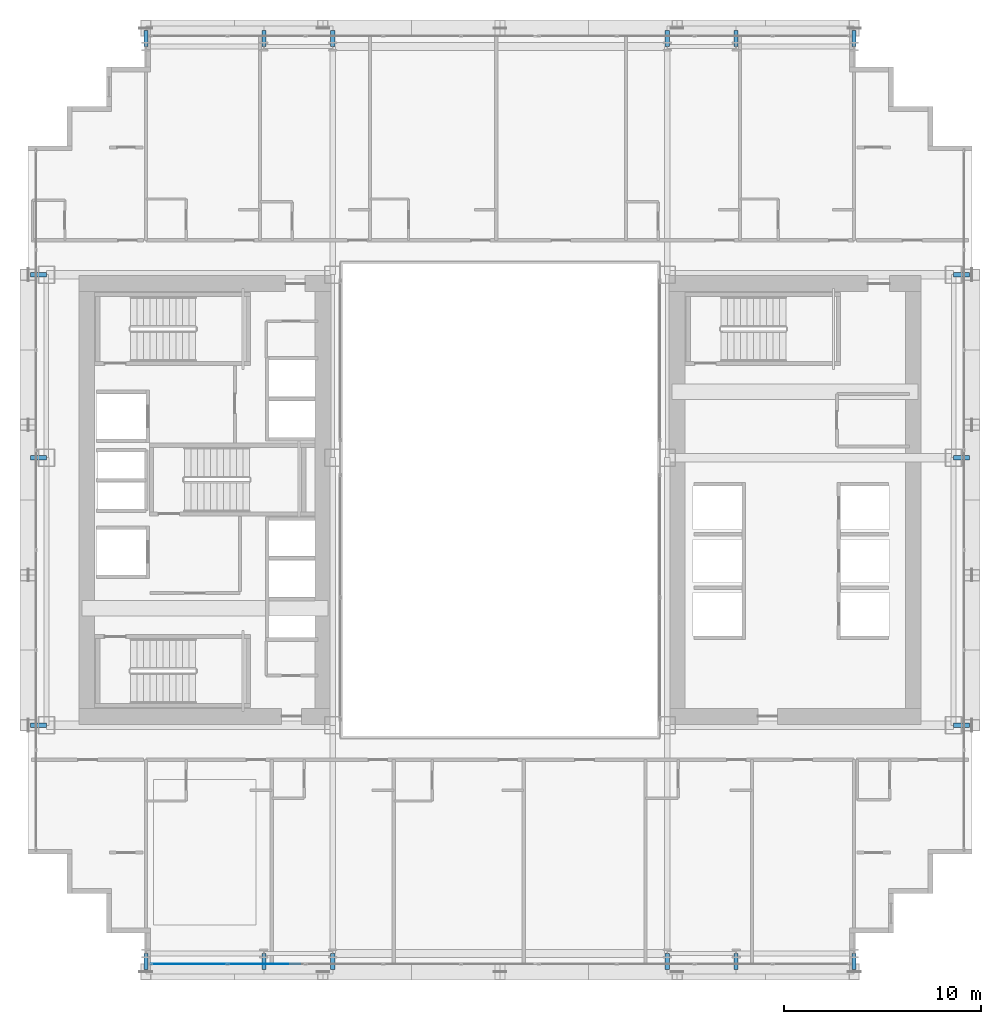
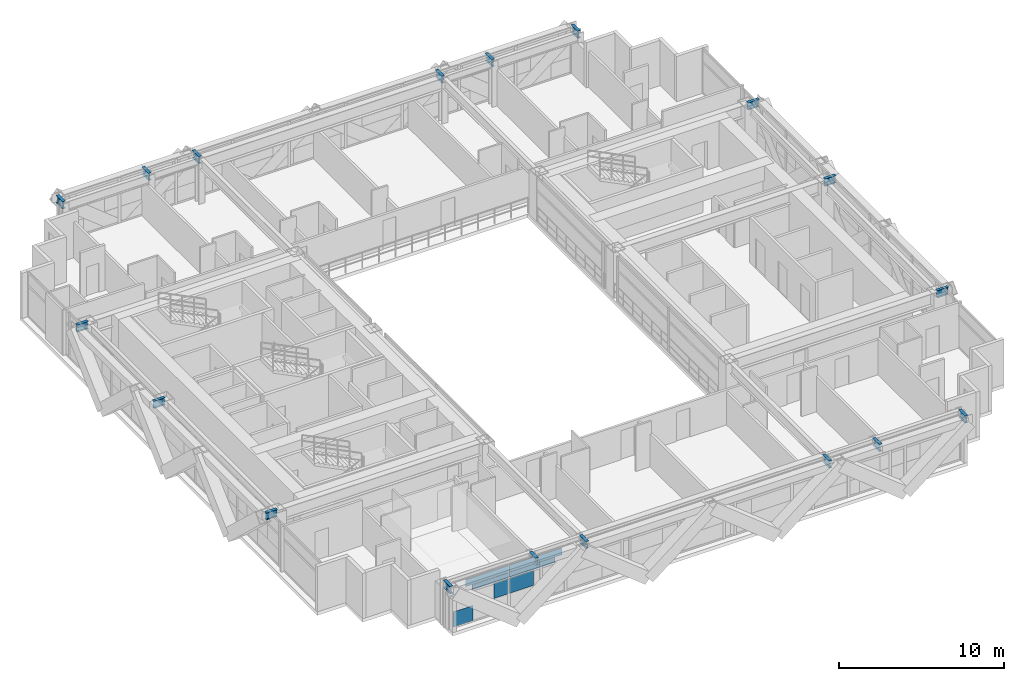
# One storey, part 26 of 41: 18 beams, 7 plates, 1 element without a shape of its own.
"""IFC4 building model written with IfcOpenShell, lengths in metres."""

import ifcopenshell
import ifcopenshell.guid

model = None  # the IFC model being written
_history = None  # IfcOwnerHistory: only IFC2X3 demands one
_inside = {}  # id of a spatial element -> (the spatial element, [elements in it])
_under = {}  # id of a project, library or spatial element -> (it, [spatial elements below it])
_declared = {}  # id of a project -> (the project, [libraries it declares])
_typed = {}  # id of a type object -> (the type object, [elements of that type])
_made_of = {}  # id of a material, layer set ... -> (it, [elements and type objects made of it])


def new_model(schema):
    """Start an empty IFC model of exactly this schema.

    Asked for "IFC4X3", IfcOpenShell would pick the latest addendum, in which some entities
    have other attributes; the version numbers below select the first issue.
    IFC2X3 requires an IfcOwnerHistory on every rooted entity: one is made here for all.
    """
    global model, _history
    if schema == "IFC4X3":
        model = ifcopenshell.file(schema_version=(4, 3, 0, 0))
    else:
        model = ifcopenshell.file(schema=schema)
    _inside.clear()
    _under.clear()
    _declared.clear()
    _typed.clear()
    _made_of.clear()
    _history = None
    if model.schema == "IFC2X3":
        org = make("IfcOrganization", Name="unknown")
        user = make(
            "IfcPersonAndOrganization",
            ThePerson=make("IfcPerson", FamilyName="unknown"),
            TheOrganization=org,
        )
        app = make(
            "IfcApplication",
            ApplicationDeveloper=org,
            Version="unknown",
            ApplicationFullName="unknown",
            ApplicationIdentifier="unknown",
        )
        _history = make(
            "IfcOwnerHistory",
            OwningUser=user,
            OwningApplication=app,
            ChangeAction="ADDED",
            CreationDate=0,
        )
    return model


def make(cls, **values):
    """One entity of the class cls with the attributes given. An attribute that is None is left unset."""
    return model.create_entity(
        cls, **{name: value for name, value in values.items() if value is not None}
    )


def rooted(cls, **values):
    """An entity with a GlobalId (a new one), such as an element, a storey or a relation."""
    return make(cls, GlobalId=ifcopenshell.guid.new(), OwnerHistory=_history, **values)


def si_unit(unit_type, name, prefix=None):
    """IfcSIUnit, for example si_unit("LENGTHUNIT", "METRE", prefix="MILLI")."""
    return make("IfcSIUnit", UnitType=unit_type, Prefix=prefix, Name=name)


def assignment(units):
    """IfcUnitAssignment: the units of a project."""
    return None if units is None else make("IfcUnitAssignment", Units=units)


def point(xyz):
    """IfcCartesianPoint."""
    return None if xyz is None else make("IfcCartesianPoint", Coordinates=xyz)


def direction(xyz):
    """IfcDirection."""
    return None if xyz is None else make("IfcDirection", DirectionRatios=xyz)


def frame(location, z_axis=None, x_axis=None):
    """IfcAxis2Placement3D, a coordinate frame: its origin and axes. An axis left out is left unset."""
    return make(
        "IfcAxis2Placement3D",
        Location=point(location),
        Axis=direction(z_axis),
        RefDirection=direction(x_axis),
    )


def frame_2d(location, x_axis=None):
    """IfcAxis2Placement2D, a coordinate frame in the plane: its origin and x axis."""
    return make(
        "IfcAxis2Placement2D", Location=point(location), RefDirection=direction(x_axis)
    )


def origin():
    """The frame at (0, 0, 0) with its axes left unset."""
    return frame((0.0, 0.0, 0.0))


def origin_2d():
    """The frame at (0, 0) in the plane with its x axis left unset."""
    return frame_2d((0.0, 0.0))


def place(relative_to, where):
    """IfcLocalPlacement: puts the frame where relative to a parent placement (None: the world)."""
    return make(
        "IfcLocalPlacement", PlacementRelTo=relative_to, RelativePlacement=where
    )


def context(
    kind, dimensions, precision=None, world=None, true_north=None, identifier=None
):
    """IfcGeometricRepresentationContext, for example the 3D "Model" context."""
    return make(
        "IfcGeometricRepresentationContext",
        ContextIdentifier=identifier,
        ContextType=kind,
        CoordinateSpaceDimension=dimensions,
        Precision=precision,
        WorldCoordinateSystem=world,
        TrueNorth=true_north,
    )


def subcontext(parent, identifier, kind, view, scale=None):
    """IfcGeometricRepresentationSubContext, for example "Body" below "Model"."""
    return make(
        "IfcGeometricRepresentationSubContext",
        ContextIdentifier=identifier,
        ContextType=kind,
        ParentContext=parent,
        TargetScale=scale,
        TargetView=view,
    )


def project(units=None, contexts=None):
    """IfcProject with its units and contexts."""
    return rooted(
        "IfcProject",
        Name="project",
        RepresentationContexts=contexts,
        UnitsInContext=assignment(units),
    )


def spatial(cls, under=None, at=None, **own):
    """A site, building, storey or space (cls), placed at a placement, below another one or the project."""
    s = rooted(cls, ObjectPlacement=at, **own)
    if under is not None:
        _under.setdefault(under.id(), (under, []))[1].append(s)
    return s


def profile(cls, at=None, kind="AREA", **sizes):
    """A parametric profile (cls). Its sizes go by their IFC names, for example OverallWidth=200.0."""
    return make(cls, ProfileType=kind, Position=at, **sizes)


def rectangle(**sizes):
    """IfcRectangleProfileDef."""
    return profile("IfcRectangleProfileDef", **sizes)


def i_section(**sizes):
    """IfcIShapeProfileDef."""
    return profile("IfcIShapeProfileDef", **sizes)


def extrude(swept, where, along, depth):
    """IfcExtrudedAreaSolid: the profile swept, set in the frame where, extruded along a direction by depth."""
    return make(
        "IfcExtrudedAreaSolid",
        SweptArea=swept,
        Position=where,
        ExtrudedDirection=direction(along),
        Depth=depth,
    )


def shape(context_of_items, identifier, shape_type, items):
    """IfcShapeRepresentation: the items that make up one representation, for example the "Body"."""
    return make(
        "IfcShapeRepresentation",
        ContextOfItems=context_of_items,
        RepresentationIdentifier=identifier,
        RepresentationType=shape_type,
        Items=items,
    )


def source(mapping_origin, context_of_items, identifier, shape_type, items):
    """IfcRepresentationMap: a shape defined once, which mapped items show again and again."""
    return make(
        "IfcRepresentationMap",
        MappingOrigin=mapping_origin,
        MappedRepresentation=shape(context_of_items, identifier, shape_type, items),
    )


def transform(
    local_origin,
    x_axis=None,
    y_axis=None,
    z_axis=None,
    scale=None,
    scale2=None,
    scale3=None,
    uniform=True,
):
    """IfcCartesianTransformationOperator3D, or its non-uniform kind. x_axis, y_axis, z_axis: its Axis1, 2, 3."""
    if uniform:
        return make(
            "IfcCartesianTransformationOperator3D",
            Axis1=direction(x_axis),
            Axis2=direction(y_axis),
            LocalOrigin=point(local_origin),
            Scale=scale,
            Axis3=direction(z_axis),
        )
    return make(
        "IfcCartesianTransformationOperator3DnonUniform",
        Axis1=direction(x_axis),
        Axis2=direction(y_axis),
        LocalOrigin=point(local_origin),
        Scale=scale,
        Axis3=direction(z_axis),
        Scale2=scale2,
        Scale3=scale3,
    )


def mapped(mapping_source, mapping_target):
    """IfcMappedItem: shows the shape of a source again, moved by a transform."""
    return make(
        "IfcMappedItem", MappingSource=mapping_source, MappingTarget=mapping_target
    )


def material(Name=None, Category=None):
    """IfcMaterial."""
    return make("IfcMaterial", Name=Name, Category=Category)


def layer(
    of_material, thickness, ventilated=None, Name=None, Category=None, Priority=None
):
    """IfcMaterialLayer: one layer of a wall or slab, of a material (None: an air gap)."""
    return make(
        "IfcMaterialLayer",
        Material=of_material,
        LayerThickness=thickness,
        IsVentilated=ventilated,
        Name=Name,
        Category=Category,
        Priority=Priority,
    )


def layer_set(layers, Name=None):
    """IfcMaterialLayerSet."""
    return make("IfcMaterialLayerSet", MaterialLayers=layers, LayerSetName=Name)


def material_profile(
    of_material, cross_section, Name=None, Category=None, Priority=None
):
    """IfcMaterialProfile: a cross section and its material."""
    return make(
        "IfcMaterialProfile",
        Name=Name,
        Material=of_material,
        Profile=cross_section,
        Priority=Priority,
        Category=Category,
    )


def profile_set(profiles, Name=None, composite=None):
    """IfcMaterialProfileSet."""
    return make(
        "IfcMaterialProfileSet",
        Name=Name,
        MaterialProfiles=profiles,
        CompositeProfile=composite,
    )


def made_of(thing, what):
    """Note that an element or type object is made of a material, layer set ...; save() writes the relation."""
    if what is not None:
        _made_of.setdefault(what.id(), (what, []))[1].append(thing)
    return thing


def type_object(cls, material=None, **own):
    """A type object (cls), such as IfcWallType, which elements share."""
    return made_of(rooted(cls, **own), material)


def element(
    cls,
    number,
    at=None,
    inside=None,
    cuts=None,
    type_object=None,
    material=None,
    context=None,
    identifier="Body",
    shape_type=None,
    held_by="IfcProductDefinitionShape",
    body=None,
    shapes=None,
    **own,
):
    """One element of the class cls, such as IfcWall. Its Tag is "e" and its number.

    at: its placement. inside: the storey or other place that contains it. cuts: it is an
    opening in that element (IfcRelVoidsElement). A single representation is given by context,
    identifier, shape_type and body (its items); several are given by shapes. held_by: the class
    of the entity that holds the representations. save() writes the other relations.
    """
    e = rooted(cls, Tag="e%d" % number, ObjectPlacement=at, **own)
    if body is not None:
        shapes = [shape(context, identifier, shape_type, body)]
    if shapes is not None:
        e.Representation = make(held_by, Representations=shapes)
    if inside is not None:
        _inside.setdefault(inside.id(), (inside, []))[1].append(e)
    if cuts is not None:
        rooted(
            "IfcRelVoidsElement", RelatingBuildingElement=cuts, RelatedOpeningElement=e
        )
    if type_object is not None:
        _typed.setdefault(type_object.id(), (type_object, []))[1].append(e)
    return made_of(e, material)


def aggregate(whole, parts):
    """IfcRelAggregates: a whole, such as a stair, and the parts it consists of."""
    return rooted("IfcRelAggregates", RelatingObject=whole, RelatedObjects=parts)


def save(model, path):
    """Write the relations noted so far, then the file.

    IfcRelAggregates (storeys below a building ...), IfcRelContainedInSpatialStructure (elements
    in a storey), IfcRelDefinesByType, IfcRelAssociatesMaterial and IfcRelDeclares: one each for
    every whole, place, type object, material and project.
    """
    for whole, parts in _under.values():
        aggregate(whole, parts)
    for where, things in _inside.values():
        rooted(
            "IfcRelContainedInSpatialStructure",
            RelatedElements=things,
            RelatingStructure=where,
        )
    for kind, things in _typed.values():
        rooted("IfcRelDefinesByType", RelatedObjects=things, RelatingType=kind)
    for what, things in _made_of.values():
        rooted("IfcRelAssociatesMaterial", RelatedObjects=things, RelatingMaterial=what)
    for by, libraries in _declared.values():
        rooted("IfcRelDeclares", RelatingContext=by, RelatedDefinitions=libraries)
    model.write(path)


model = new_model("IFC4")

# Units and contexts
model_context = context("Model", 3, precision=1e-05, world=origin(), true_north=direction((0.0, 1.0)))
body_context = subcontext(model_context, "Body", "Model", "MODEL_VIEW")
ifc_project = project(units=[si_unit("LENGTHUNIT", "METRE"), si_unit("AREAUNIT", "SQUARE_METRE"), si_unit("VOLUMEUNIT", "CUBIC_METRE"), si_unit("PLANEANGLEUNIT", "RADIAN"), si_unit("MASSUNIT", "GRAM", prefix="KILO")], contexts=[model_context])

# Site, building, storey
site_placement = place(None, origin())
site = spatial("IfcSite", under=ifc_project, at=site_placement, CompositionType="ELEMENT")
building_placement = place(site_placement, origin())
building = spatial("IfcBuilding", under=site, at=building_placement, Name="Ocotamira Hotel", CompositionType="ELEMENT")
storey_placement = place(building_placement, frame((0.0, 0.0, 52.800048828125)))
storey = spatial("IfcBuildingStorey", under=building, at=storey_placement, Name="L12", CompositionType="ELEMENT", Elevation=52.800048828125)

# Beams
ifc_material_1 = material(Name="Steel ASTM A992 Grade 50", Category="steel")
ifc_material_profile = material_profile(ifc_material_1, i_section(OverallWidth=0.2099609375, OverallDepth=0.537109375, WebThickness=0.010986328125, FlangeThickness=0.017333984375, FilletRadius=0.012939453125, at=origin_2d()), Name="W21X68")
ifc_profile_set = profile_set([ifc_material_profile], Name="Steel ASTM A992 Grade 50")
beam_type = type_object("IfcBeamType", Name="BM-SEC-W21X68", PredefinedType="JOIST", material=ifc_profile_set)
shared_shape_1 = source(origin(), body_context, "Body", "SweptSolid", [
    extrude(i_section(OverallWidth=0.2099609375, OverallDepth=0.537109375, WebThickness=0.010986328125, FlangeThickness=0.017333984375, FilletRadius=0.012939453125, at=origin_2d()), origin(), (0.0, 0.0, 1.0), 0.800048828125),
])
for number, where, z_axis, x_axis, name in (
    (1, (14.0, 2.949951171875, 3.08154296875), (0.0, -1.0, 0.0), (1.0, 0.0, 0.0), "L12 South Edge Header X14"),
    (2, (14.0, 49.050048828125, 3.08154296875), (0.0, 1.0, 0.0), (-1.0, 0.0, 0.0), "L12 North Edge Header X14"),
    (3, (20.0, 2.949951171875, 3.08154296875), (0.0, -1.0, 0.0), (1.0, 0.0, 0.0), "L12 South Edge Header X20"),
    (4, (20.0, 49.050048828125, 3.08154296875), (0.0, 1.0, 0.0), (-1.0, 0.0, 0.0), "L12 North Edge Header X20"),
    (5, (23.5, 2.949951171875, 3.08154296875), (0.0, -1.0, 0.0), (1.0, 0.0, 0.0), "L12 South Edge Header X23.5"),
    (6, (23.5, 49.050048828125, 3.08154296875), (0.0, 1.0, 0.0), (-1.0, 0.0, 0.0), "L12 North Edge Header X23.5"),
    (7, (40.5, 2.949951171875, 3.08154296875), (0.0, -1.0, 0.0), (1.0, 0.0, 0.0), "L12 South Edge Header X40.5"),
    (8, (40.5, 49.050048828125, 3.08154296875), (0.0, 1.0, 0.0), (-1.0, 0.0, 0.0), "L12 North Edge Header X40.5"),
    (9, (44.0, 2.949951171875, 3.08154296875), (0.0, -1.0, 0.0), (1.0, 0.0, 0.0), "L12 South Edge Header X44"),
    (10, (44.0, 49.050048828125, 3.08154296875), (0.0, 1.0, 0.0), (-1.0, 0.0, 0.0), "L12 North Edge Header X44"),
    (11, (50.0, 2.949951171875, 3.08154296875), (0.0, -1.0, 0.0), (1.0, 0.0, 0.0), "L12 South Edge Header X50"),
    (12, (50.0, 49.050048828125, 3.08154296875), (0.0, 1.0, 0.0), (-1.0, 0.0, 0.0), "L12 North Edge Header X50"),
    (13, (8.949951171875, 14.550048828125, 3.08154296875), (-1.0, 0.0, 0.0), (0.0, -1.0, 0.0), "L12 West Edge Header Y14.55"),
    (14, (55.050048828125, 14.550048828125, 3.08154296875), (1.0, 0.0, 0.0), (0.0, 1.0, 0.0), "L12 East Edge Header Y14.55"),
    (15, (8.949951171875, 28.14990234375, 3.08154296875), (-1.0, 0.0, 0.0), (0.0, -1.0, 0.0), "L12 West Edge Header Y28.15"),
    (16, (55.050048828125, 28.14990234375, 3.08154296875), (1.0, 0.0, 0.0), (0.0, 1.0, 0.0), "L12 East Edge Header Y28.15"),
    (17, (8.949951171875, 37.449951171875, 3.08154296875), (-1.0, 0.0, 0.0), (0.0, -1.0, 0.0), "L12 West Edge Header Y37.45"),
    (18, (55.050048828125, 37.449951171875, 3.08154296875), (1.0, 0.0, 0.0), (0.0, 1.0, 0.0), "L12 East Edge Header Y37.45"),
):
    element("IfcBeam", number, at=place(storey_placement, frame(where, z_axis=z_axis, x_axis=x_axis)), inside=storey, type_object=beam_type, Name=name, PredefinedType="JOIST", context=body_context, shape_type="MappedRepresentation", body=[
        mapped(shared_shape_1, transform((0.0, 0.0, 0.0), scale=1.0)),
    ])

# Curtain wall, plates
ifc_material_2 = material(Name="Anodised pale-metal aluminium and solar glass", Category="aluminium")
ifc_layer_1 = layer(ifc_material_2, 0.179931640625)
ifc_layer_set_1 = layer_set([ifc_layer_1], Name="Anodised pale-metal aluminium and solar glass")
curtain_wall_type = type_object("IfcCurtainWallType", Name="CW-SYS2-Z1", PredefinedType="NOTDEFINED", material=ifc_layer_set_1)
curtain_wall_placement = place(storey_placement, origin())
curtain_wall = element("IfcCurtainWall", 19, at=curtain_wall_placement, inside=storey, type_object=curtain_wall_type, Name="L12 Curtain Wall CW-2 CW-L12-S1", PredefinedType="NOTDEFINED")
ifc_material_3 = material(Name="Double-silver low-E insulated solar glass", Category="glass")
ifc_layer_2 = layer(ifc_material_3, 0.031982421875)
ifc_layer_set_2 = layer_set([ifc_layer_2], Name="Double-silver low-E insulated solar glass")
plate_type = type_object("IfcPlateType", Name="CWP-VISION-32", PredefinedType="CURTAIN_PANEL", material=ifc_layer_set_2)
shared_shape_2 = source(origin(), body_context, "Body", "SweptSolid", [
    extrude(rectangle(XDim=1.382568359375, YDim=0.031982421875, at=origin_2d()), origin(), (0.0, 0.0, 1.0), 1.11865234375),
])
plate_1_placement = place(storey_placement, frame((14.97119140625, 2.419921875, 0.074951171875), z_axis=(0.0, 0.0, 1.0), x_axis=(1.0, 0.0, 0.0)))
plate_1 = element("IfcPlate", 20, at=plate_1_placement, type_object=plate_type, Name="CW-2 panel 1.1.1", PredefinedType="CURTAIN_PANEL", context=body_context, shape_type="MappedRepresentation", body=[
    mapped(shared_shape_2, transform((0.0, 0.0, 0.0), scale=1.0)),
])
shared_shape_3 = source(origin(), body_context, "Body", "SweptSolid", [
    extrude(rectangle(XDim=1.012451171875, YDim=0.031982421875, at=origin_2d()), origin(), (0.0, 0.0, 1.0), 1.11865234375),
])
plate_2_placement = place(storey_placement, frame((17.609375, 2.419921875, 1.193603515625), z_axis=(0.0, 0.0, 1.0), x_axis=(1.0, 0.0, 0.0)))
plate_2 = element("IfcPlate", 21, at=plate_2_placement, type_object=plate_type, Name="CW-2 panel 1.1.2", PredefinedType="CURTAIN_PANEL", context=body_context, shape_type="MappedRepresentation", body=[
    mapped(shared_shape_3, transform((0.0, 0.0, 0.0), scale=1.0)),
])
shared_shape_4 = source(origin(), body_context, "Body", "SweptSolid", [
    extrude(rectangle(XDim=2.9755859375, YDim=0.031982421875, at=origin_2d()), origin(), (0.0, 0.0, 1.0), 0.5107421875),
])
plate_3_placement = place(storey_placement, frame((16.627685546875, 2.419921875, 2.76416015625), z_axis=(0.0, 0.0, 1.0), x_axis=(1.0, 0.0, 0.0)))
plate_3 = element("IfcPlate", 22, at=plate_3_placement, type_object=plate_type, Name="CW-2 panel 1.2.1", PredefinedType="CURTAIN_PANEL", context=body_context, shape_type="MappedRepresentation", body=[
    mapped(shared_shape_4, transform((0.0, 0.0, 0.0), scale=1.0)),
])
shared_shape_5 = source(origin(), body_context, "Body", "SweptSolid", [
    extrude(rectangle(XDim=2.504638671875, YDim=0.031982421875, at=origin_2d()), origin(), (0.0, 0.0, 1.0), 0.345458984375),
])
plate_4_placement = place(storey_placement, frame((16.86328125, 2.419921875, 2.38720703125), z_axis=(0.0, 0.0, 1.0), x_axis=(1.0, 0.0, 0.0)))
plate_4 = element("IfcPlate", 23, at=plate_4_placement, type_object=plate_type, Name="CW-2 panel 1.2.2", PredefinedType="CURTAIN_PANEL", context=body_context, shape_type="MappedRepresentation", body=[
    mapped(shared_shape_5, transform((0.0, 0.0, 0.0), scale=1.0)),
])
shared_shape_6 = source(origin(), body_context, "Body", "SweptSolid", [
    extrude(rectangle(XDim=1.701416015625, YDim=0.031982421875, at=origin_2d()), origin(), (0.0, 0.0, 1.0), 1.11865234375),
])
plate_5_placement = place(storey_placement, frame((19.046142578125, 2.419921875, 1.193603515625), z_axis=(0.0, 0.0, 1.0), x_axis=(1.0, 0.0, 0.0)))
plate_5 = element("IfcPlate", 24, at=plate_5_placement, type_object=plate_type, Name="CW-2 panel 2.1.1", PredefinedType="CURTAIN_PANEL", context=body_context, shape_type="MappedRepresentation", body=[
    mapped(shared_shape_6, transform((0.0, 0.0, 0.0), scale=1.0)),
])
shared_shape_7 = source(origin(), body_context, "Body", "SweptSolid", [
    extrude(rectangle(XDim=3.193603515625, YDim=0.031982421875, at=origin_2d()), origin(), (0.0, 0.0, 1.0), 0.376708984375),
])
plate_6_placement = place(storey_placement, frame((19.792236328125, 2.419921875, 2.3876953125), z_axis=(0.0, 0.0, 1.0), x_axis=(1.0, 0.0, 0.0)))
plate_6 = element("IfcPlate", 25, at=plate_6_placement, type_object=plate_type, Name="CW-2 panel 2.2.1", PredefinedType="CURTAIN_PANEL", context=body_context, shape_type="MappedRepresentation", body=[
    mapped(shared_shape_7, transform((0.0, 0.0, 0.0), scale=1.0)),
])
shared_shape_8 = source(origin(), body_context, "Body", "SweptSolid", [
    extrude(rectangle(XDim=3.664306640625, YDim=0.031982421875, at=origin_2d()), origin(), (0.0, 0.0, 1.0), 0.5107421875),
])
plate_7_placement = place(storey_placement, frame((20.027587890625, 2.419921875, 2.76416015625), z_axis=(0.0, 0.0, 1.0), x_axis=(1.0, 0.0, 0.0)))
plate_7 = element("IfcPlate", 26, at=plate_7_placement, type_object=plate_type, Name="CW-2 panel 2.2.2", PredefinedType="CURTAIN_PANEL", context=body_context, shape_type="MappedRepresentation", body=[
    mapped(shared_shape_8, transform((0.0, 0.0, 0.0), scale=1.0)),
])
aggregate(curtain_wall, [plate_1, plate_2, plate_3, plate_4, plate_5, plate_6, plate_7])

save(model, "model.ifc")
